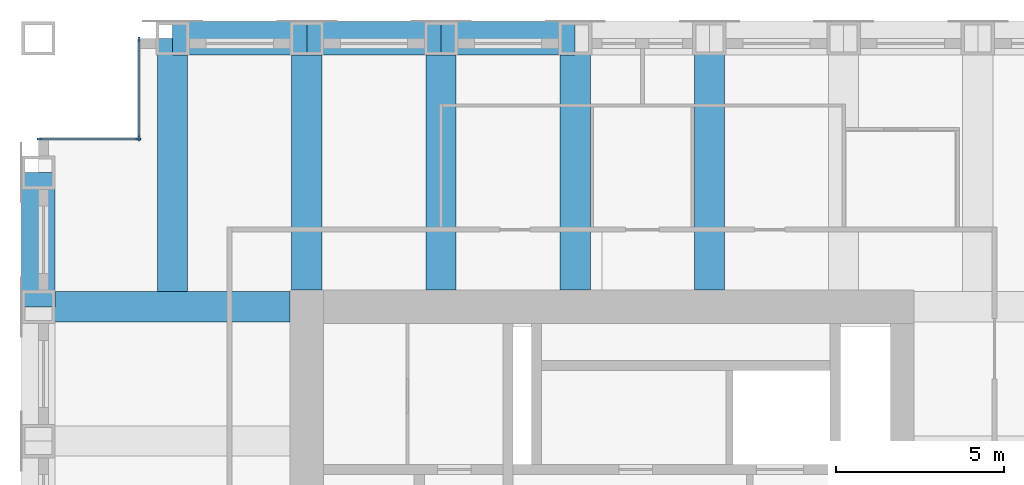
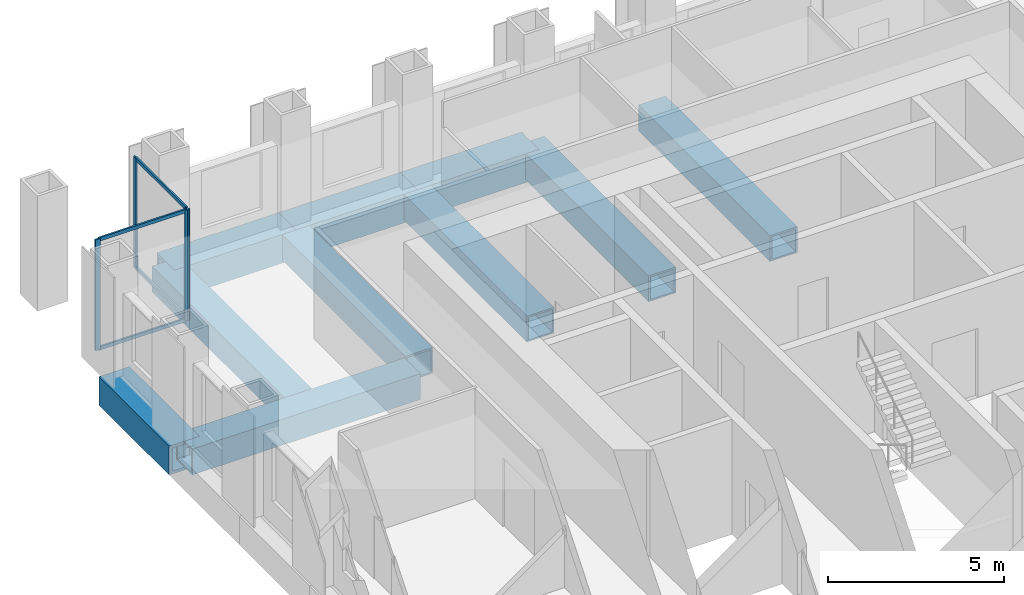
# One storey, part 5 of 13: 10 beams, 8 members, 2 elements without a shape of their own.
"""IFC4 building model written with IfcOpenShell, lengths in metres."""

from ifc_helpers import new_model, si_unit, direction, frame, origin, origin_2d, place, context, subcontext, project, spatial, rectangle, hollow_rectangle, extrude, material, material_profile, profile_set, type_object, element, aggregate, save


model = new_model("IFC4")

# Units and contexts
model_context = context("Model", 3, precision=1e-05, world=origin(), true_north=direction((0.0, 1.0)))
body_context = subcontext(model_context, "Body", "Model", "MODEL_VIEW")
ifc_project = project(units=[si_unit("LENGTHUNIT", "METRE"), si_unit("AREAUNIT", "SQUARE_METRE"), si_unit("VOLUMEUNIT", "CUBIC_METRE"), si_unit("PLANEANGLEUNIT", "RADIAN"), si_unit("MASSUNIT", "GRAM", prefix="KILO")], contexts=[model_context])

# Site, building, storey
site_placement = place(None, origin())
site = spatial("IfcSite", under=ifc_project, at=site_placement, CompositionType="ELEMENT")
building_placement = place(site_placement, origin())
building = spatial("IfcBuilding", under=site, at=building_placement, Name="Rimbunsela Tower", CompositionType="ELEMENT")
storey_placement = place(building_placement, frame((0.0, 0.0, 254.199951171875)))
storey = spatial("IfcBuildingStorey", under=building, at=storey_placement, Name="L61", CompositionType="ELEMENT", Elevation=254.199951171875)

# Beams
ifc_material_1 = material(Name="Steel BJ 55 (fy 410 MPa)", Category="steel")
ifc_material_profile_1 = material_profile(ifc_material_1, hollow_rectangle(XDim=1.0, YDim=1.0, WallThickness=0.10009765625, at=origin_2d()), Name="BOX 1000x1000x100")
ifc_profile_set_1 = profile_set([ifc_material_profile_1], Name="Steel BJ 55 (fy 410 MPa)")
beam_type_1 = type_object("IfcBeamType", Name="Beam BOX 1000x1000x100", PredefinedType="BEAM", material=ifc_profile_set_1)
for number, where, z_axis, x_axis, name in (
    (1, (10.0, 36.0, -0.64990234375), (0.0, 1.0, 0.0), (-1.0, 0.0, 0.0), "Beam B3 L61"),
    (2, (14.0, 44.0, -0.64990234375), (1.0, 0.0, 0.0), (0.0, 1.0, 0.0), "Beam B3 L61"),
    (3, (18.0, 44.0, -0.64990234375), (1.0, 0.0, 0.0), (0.0, 1.0, 0.0), "Beam B3 L61"),
    (4, (22.0, 44.0, -0.64990234375), (1.0, 0.0, 0.0), (0.0, 1.0, 0.0), "Beam B3 L61"),
):
    element("IfcBeam", number, at=place(storey_placement, frame(where, z_axis=z_axis, x_axis=x_axis)), inside=storey, type_object=beam_type_1, Name=name, PredefinedType="BEAM", context=body_context, shape_type="SweptSolid", body=[
        extrude(hollow_rectangle(XDim=1.0, YDim=1.0, WallThickness=0.10009765625, at=origin_2d()), origin(), (0.0, 0.0, 1.0), 4.0),
    ])
ifc_material_2 = material(Name="Steel BJ 55 (fy 410 MPa)", Category="steel")
ifc_material_profile_2 = material_profile(ifc_material_2, hollow_rectangle(XDim=0.89990234375, YDim=0.89990234375, WallThickness=0.06005859375, at=origin_2d()), Name="BOX 900x900x60")
ifc_profile_set_2 = profile_set([ifc_material_profile_2], Name="Steel BJ 55 (fy 410 MPa)")
beam_type_2 = type_object("IfcBeamType", Name="Beam BOX 900x900x60", PredefinedType="BEAM", material=ifc_profile_set_2)
beam_1_placement = place(storey_placement, frame((10.0, 36.0, -0.599853515625), z_axis=(1.0, 0.0, 0.0), x_axis=(0.0, 1.0, 0.0)))
element("IfcBeam", 5, at=beam_1_placement, inside=storey, type_object=beam_type_2, Name="Beam B1 L61", PredefinedType="BEAM", context=body_context, shape_type="SweptSolid", body=[
    extrude(hollow_rectangle(XDim=0.89990234375, YDim=0.89990234375, WallThickness=0.06005859375, at=origin_2d()), origin(), (0.0, 0.0, 1.0), 7.5),
])
beam_2_placement = place(storey_placement, frame((14.0, 36.449951171875, -0.599853515625), z_axis=(0.0, 1.0, 0.0), x_axis=(-1.0, 0.0, 0.0)))
element("IfcBeam", 6, at=beam_2_placement, inside=storey, type_object=beam_type_2, Name="Beam B1 L61", PredefinedType="BEAM", context=body_context, shape_type="SweptSolid", body=[
    extrude(hollow_rectangle(XDim=0.89990234375, YDim=0.89990234375, WallThickness=0.06005859375, at=origin_2d()), origin(), (0.0, 0.0, 1.0), 7.550048828125),
])
for number, where, z_axis, x_axis, name in (
    (7, (18.0, 36.5, -0.599853515625), (0.0, 1.0, 0.0), (-1.0, 0.0, 0.0), "Beam B1 L61"),
    (8, (22.0, 36.5, -0.599853515625), (0.0, 1.0, 0.0), (-1.0, 0.0, 0.0), "Beam B1 L61"),
    (9, (26.0, 36.5, -0.599853515625), (0.0, 1.0, 0.0), (-1.0, 0.0, 0.0), "Beam B1 L61"),
    (10, (30.0, 36.5, -0.599853515625), (0.0, 1.0, 0.0), (-1.0, 0.0, 0.0), "Beam B1 L61"),
):
    element("IfcBeam", number, at=place(storey_placement, frame(where, z_axis=z_axis, x_axis=x_axis)), inside=storey, type_object=beam_type_2, Name=name, PredefinedType="BEAM", context=body_context, shape_type="SweptSolid", body=[
        extrude(hollow_rectangle(XDim=0.89990234375, YDim=0.89990234375, WallThickness=0.06005859375, at=origin_2d()), origin(), (0.0, 0.0, 1.0), 7.5),
    ])

# Curtain wall, members
ifc_material_3 = material(Name="Aluminium curtain wall", Category="aluminium")
curtain_wall_type = type_object("IfcCurtainWallType", Name="Corner glazing", PredefinedType="USERDEFINED", material=ifc_material_3)
curtain_wall_1_placement = place(storey_placement, origin())
curtain_wall_1 = element("IfcCurtainWall", 11, at=curtain_wall_1_placement, inside=storey, type_object=curtain_wall_type, Name="Corner glazing L61", ObjectType="CORNER GLAZING", PredefinedType="USERDEFINED")
ifc_material_4 = material(Name="Aluminium mullion", Category="aluminium")
ifc_material_profile_3 = material_profile(ifc_material_4, rectangle(XDim=0.06005859375, YDim=0.159912109375, at=origin_2d()), Name="Mullion 60x160")
ifc_profile_set_3 = profile_set([ifc_material_profile_3], Name="Aluminium mullion")
member_type_1 = type_object("IfcMemberType", Name="Curtain wall mullion 60x160", PredefinedType="MULLION", material=ifc_profile_set_3)
member_1_placement = place(storey_placement, frame((13.0, 43.969970703125, 0.0), z_axis=(0.0, 0.0, 1.0), x_axis=(1.0, 0.0, 0.0)))
member_1 = element("IfcMember", 12, at=member_1_placement, type_object=member_type_1, Name="CW5 mullion 1", PredefinedType="MULLION", context=body_context, shape_type="SweptSolid", body=[
    extrude(rectangle(XDim=0.06005859375, YDim=0.159912109375, at=origin_2d()), origin(), (0.0, 0.0, 1.0), 3.85009765625),
])
member_2_placement = place(storey_placement, frame((13.0, 41.030029296875, 0.0), z_axis=(0.0, 0.0, 1.0), x_axis=(1.0, 0.0, 0.0)))
member_2 = element("IfcMember", 13, at=member_2_placement, type_object=member_type_1, Name="CW5 mullion 2", PredefinedType="MULLION", context=body_context, shape_type="SweptSolid", body=[
    extrude(rectangle(XDim=0.06005859375, YDim=0.159912109375, at=origin_2d()), origin(), (0.0, 0.0, 1.0), 3.85009765625),
])

curtain_wall_2_placement = place(storey_placement, origin())
curtain_wall_2 = element("IfcCurtainWall", 14, at=curtain_wall_2_placement, inside=storey, type_object=curtain_wall_type, Name="Corner glazing L61", ObjectType="CORNER GLAZING", PredefinedType="USERDEFINED")
member_3_placement = place(storey_placement, frame((12.969970703125, 41.0, 0.0), z_axis=(0.0, 0.0, 1.0), x_axis=(0.0, -1.0, 0.0)))
member_3 = element("IfcMember", 15, at=member_3_placement, type_object=member_type_1, Name="CW5 mullion 1", PredefinedType="MULLION", context=body_context, shape_type="SweptSolid", body=[
    extrude(rectangle(XDim=0.06005859375, YDim=0.159912109375, at=origin_2d()), origin(), (0.0, 0.0, 1.0), 3.85009765625),
])
member_4_placement = place(storey_placement, frame((10.030029296875, 41.0, 0.0), z_axis=(0.0, 0.0, 1.0), x_axis=(0.0, -1.0, 0.0)))
member_4 = element("IfcMember", 16, at=member_4_placement, type_object=member_type_1, Name="CW5 mullion 2", PredefinedType="MULLION", context=body_context, shape_type="SweptSolid", body=[
    extrude(rectangle(XDim=0.06005859375, YDim=0.159912109375, at=origin_2d()), origin(), (0.0, 0.0, 1.0), 3.85009765625),
])

# Member
ifc_material_5 = material(Name="Aluminium transom", Category="aluminium")
ifc_material_profile_4 = material_profile(ifc_material_5, rectangle(XDim=0.06005859375, YDim=0.1201171875, at=origin_2d()), Name="Transom 60x120")
ifc_profile_set_4 = profile_set([ifc_material_profile_4], Name="Aluminium transom")
member_type_2 = type_object("IfcMemberType", Name="Curtain wall transom 60x120", PredefinedType="USERDEFINED", material=ifc_profile_set_4)
member_5_placement = place(storey_placement, frame((13.0, 43.93994140625, 0.030029296875), z_axis=(0.0, -1.0, 0.0), x_axis=(1.0, 0.0, 0.0)))
member_5 = element("IfcMember", 17, at=member_5_placement, type_object=member_type_2, Name="CW5 transom 1.1", ObjectType="TRANSOM", PredefinedType="USERDEFINED", context=body_context, shape_type="SweptSolid", body=[
    extrude(rectangle(XDim=0.06005859375, YDim=0.1201171875, at=origin_2d()), origin(), (0.0, 0.0, 1.0), 2.8798828125),
])

member_6_placement = place(storey_placement, frame((13.0, 43.93994140625, 3.820068359375), z_axis=(0.0, -1.0, 0.0), x_axis=(1.0, 0.0, 0.0)))
member_6 = element("IfcMember", 18, at=member_6_placement, type_object=member_type_2, Name="CW5 transom 1.2", ObjectType="TRANSOM", PredefinedType="USERDEFINED", context=body_context, shape_type="SweptSolid", body=[
    extrude(rectangle(XDim=0.06005859375, YDim=0.1201171875, at=origin_2d()), origin(), (0.0, 0.0, 1.0), 2.8798828125),
])

aggregate(curtain_wall_1, [member_1, member_2, member_5, member_6])

member_7_placement = place(storey_placement, frame((12.93994140625, 41.0, 0.030029296875), z_axis=(-1.0, 0.0, 0.0), x_axis=(0.0, -1.0, 0.0)))
member_7 = element("IfcMember", 19, at=member_7_placement, type_object=member_type_2, Name="CW5 transom 1.1", ObjectType="TRANSOM", PredefinedType="USERDEFINED", context=body_context, shape_type="SweptSolid", body=[
    extrude(rectangle(XDim=0.06005859375, YDim=0.1201171875, at=origin_2d()), origin(), (0.0, 0.0, 1.0), 2.8798828125),
])

member_8_placement = place(storey_placement, frame((12.93994140625, 41.0, 3.820068359375), z_axis=(-1.0, 0.0, 0.0), x_axis=(0.0, -1.0, 0.0)))
member_8 = element("IfcMember", 20, at=member_8_placement, type_object=member_type_2, Name="CW5 transom 1.2", ObjectType="TRANSOM", PredefinedType="USERDEFINED", context=body_context, shape_type="SweptSolid", body=[
    extrude(rectangle(XDim=0.06005859375, YDim=0.1201171875, at=origin_2d()), origin(), (0.0, 0.0, 1.0), 2.8798828125),
])

aggregate(curtain_wall_2, [member_3, member_4, member_7, member_8])

save(model, "model.ifc")
